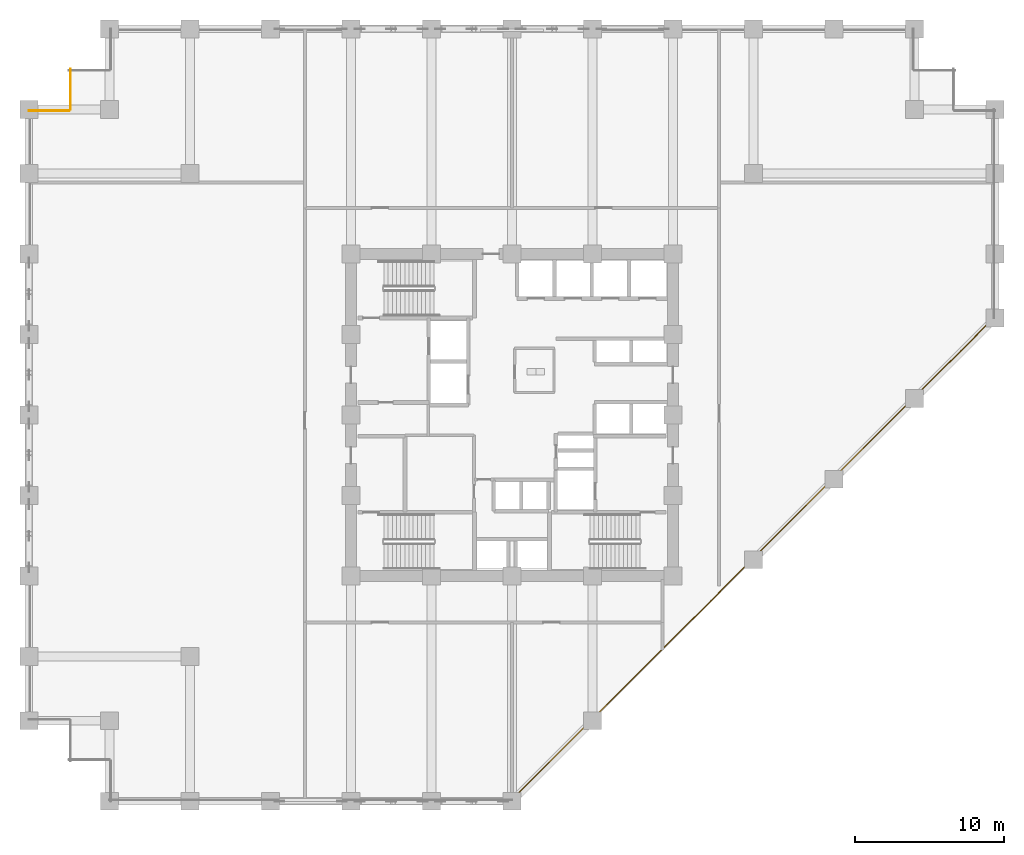
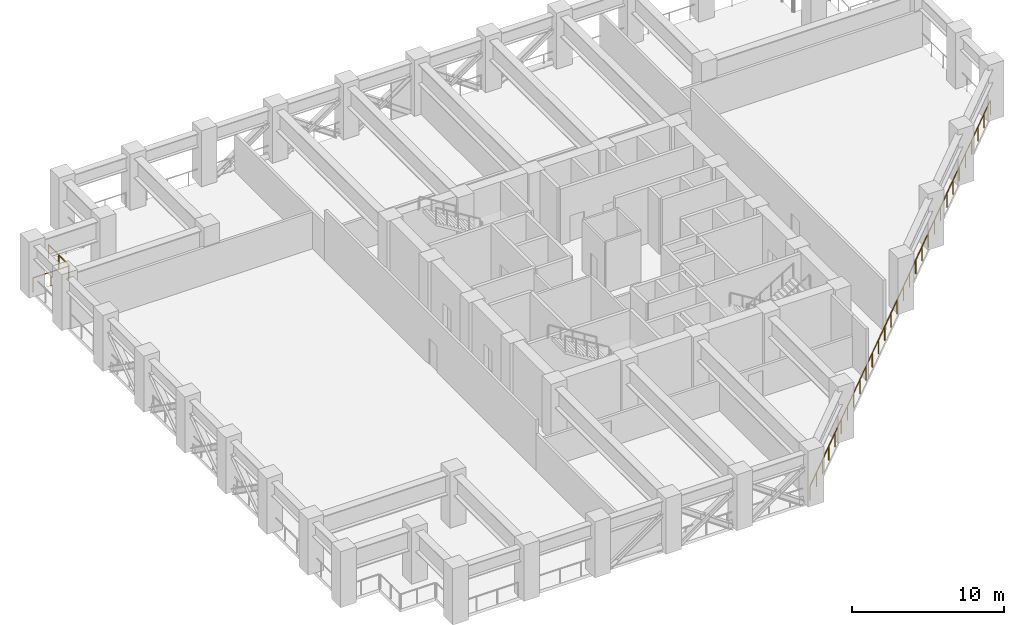
# One storey, part 9 of 12: 3 railings.
"""IFC4 building model written with IfcOpenShell, lengths in metres."""

from ifc_helpers import new_model, si_unit, direction, frame, origin, origin_2d, place, context, subcontext, project, spatial, circle, extrude, material, type_object, element, save


model = new_model("IFC4")

# Units and contexts
model_context = context("Model", 3, precision=1e-05, world=origin(), true_north=direction((0.0, 1.0)))
body_context = subcontext(model_context, "Body", "Model", "MODEL_VIEW")
ifc_project = project(units=[si_unit("LENGTHUNIT", "METRE"), si_unit("AREAUNIT", "SQUARE_METRE"), si_unit("VOLUMEUNIT", "CUBIC_METRE"), si_unit("PLANEANGLEUNIT", "RADIAN"), si_unit("MASSUNIT", "GRAM", prefix="KILO")], contexts=[model_context])

# Site, building, storey
site_placement = place(None, origin())
site = spatial("IfcSite", under=ifc_project, at=site_placement, CompositionType="ELEMENT")
building_placement = place(site_placement, origin())
building = spatial("IfcBuilding", under=site, at=building_placement, Name="Surkhivell Harbour Commons", CompositionType="ELEMENT")
storey_placement = place(building_placement, frame((0.0, 0.0, 78.75)))
storey = spatial("IfcBuildingStorey", under=building, at=storey_placement, Name="L20", CompositionType="ELEMENT", Elevation=78.75)

# Railings
ifc_material = material(Name="Laminated safety glass and stainless steel S355 balustrade", Category="steel")
railing_type = type_object("IfcRailingType", Name="RAL-BAL-1150", PredefinedType="BALUSTRADE", material=ifc_material)
railing_1_placement = place(storey_placement, frame((-0.056640625, -25.843505859375, 0.0)))
element("IfcRailing", 1, at=railing_1_placement, inside=storey, type_object=railing_type, Name="L20 Perimeter Safety Guard 02", PredefinedType="BALUSTRADE", context=body_context, shape_type="SweptSolid", body=[
    extrude(circle(Radius=0.02392578125, at=origin_2d()), frame((0.0, 0.0, 1.1259765625), z_axis=(0.707106781187, 0.707106781187, 0.0), x_axis=(-0.707106781187, 0.707106781187, 0.0)), (0.0, 0.0, 1.0), 45.82080078125),
    extrude(circle(Radius=0.02099609375, at=origin_2d()), origin(), (0.0, 0.0, 1.0), 1.101806640625),
    extrude(circle(Radius=0.02099609375, at=origin_2d()), frame((1.1171875, 1.1171875, 0.0)), (0.0, 0.0, 1.0), 1.101806640625),
    extrude(circle(Radius=0.02099609375, at=origin_2d()), frame((2.234375, 2.234375, 0.0)), (0.0, 0.0, 1.0), 1.101806640625),
    extrude(circle(Radius=0.02099609375, at=origin_2d()), frame((3.351806640625, 3.351806640625, 0.0)), (0.0, 0.0, 1.0), 1.101806640625),
    extrude(circle(Radius=0.02099609375, at=origin_2d()), frame((4.468994140625, 4.468994140625, 0.0)), (0.0, 0.0, 1.0), 1.101806640625),
    extrude(circle(Radius=0.02099609375, at=origin_2d()), frame((5.586181640625, 5.586181640625, 0.0)), (0.0, 0.0, 1.0), 1.101806640625),
    extrude(circle(Radius=0.02099609375, at=origin_2d()), frame((6.703369140625, 6.703369140625, 0.0)), (0.0, 0.0, 1.0), 1.101806640625),
    extrude(circle(Radius=0.02099609375, at=origin_2d()), frame((7.82080078125, 7.82080078125, 0.0)), (0.0, 0.0, 1.0), 1.101806640625),
    extrude(circle(Radius=0.02099609375, at=origin_2d()), frame((8.93798828125, 8.93798828125, 0.0)), (0.0, 0.0, 1.0), 1.101806640625),
    extrude(circle(Radius=0.02099609375, at=origin_2d()), frame((10.05517578125, 10.05517578125, 0.0)), (0.0, 0.0, 1.0), 1.101806640625),
    extrude(circle(Radius=0.02099609375, at=origin_2d()), frame((11.17236328125, 11.17236328125, 0.0)), (0.0, 0.0, 1.0), 1.101806640625),
    extrude(circle(Radius=0.02099609375, at=origin_2d()), frame((12.289794921875, 12.289794921875, 0.0)), (0.0, 0.0, 1.0), 1.101806640625),
    extrude(circle(Radius=0.02099609375, at=origin_2d()), frame((13.406982421875, 13.406982421875, 0.0)), (0.0, 0.0, 1.0), 1.101806640625),
    extrude(circle(Radius=0.02099609375, at=origin_2d()), frame((14.524169921875, 14.524169921875, 0.0)), (0.0, 0.0, 1.0), 1.101806640625),
    extrude(circle(Radius=0.02099609375, at=origin_2d()), frame((15.641357421875, 15.641357421875, 0.0)), (0.0, 0.0, 1.0), 1.101806640625),
    extrude(circle(Radius=0.02099609375, at=origin_2d()), frame((16.7587890625, 16.7587890625, 0.0)), (0.0, 0.0, 1.0), 1.101806640625),
    extrude(circle(Radius=0.02099609375, at=origin_2d()), frame((17.8759765625, 17.8759765625, 0.0)), (0.0, 0.0, 1.0), 1.101806640625),
    extrude(circle(Radius=0.02099609375, at=origin_2d()), frame((18.9931640625, 18.9931640625, 0.0)), (0.0, 0.0, 1.0), 1.101806640625),
    extrude(circle(Radius=0.02099609375, at=origin_2d()), frame((20.1103515625, 20.1103515625, 0.0)), (0.0, 0.0, 1.0), 1.101806640625),
    extrude(circle(Radius=0.02099609375, at=origin_2d()), frame((21.227783203125, 21.227783203125, 0.0)), (0.0, 0.0, 1.0), 1.101806640625),
    extrude(circle(Radius=0.02099609375, at=origin_2d()), frame((22.344970703125, 22.344970703125, 0.0)), (0.0, 0.0, 1.0), 1.101806640625),
    extrude(circle(Radius=0.02099609375, at=origin_2d()), frame((23.462158203125, 23.462158203125, 0.0)), (0.0, 0.0, 1.0), 1.101806640625),
    extrude(circle(Radius=0.02099609375, at=origin_2d()), frame((24.579345703125, 24.579345703125, 0.0)), (0.0, 0.0, 1.0), 1.101806640625),
    extrude(circle(Radius=0.02099609375, at=origin_2d()), frame((25.69677734375, 25.69677734375, 0.0)), (0.0, 0.0, 1.0), 1.101806640625),
    extrude(circle(Radius=0.02099609375, at=origin_2d()), frame((26.81396484375, 26.81396484375, 0.0)), (0.0, 0.0, 1.0), 1.101806640625),
    extrude(circle(Radius=0.02099609375, at=origin_2d()), frame((27.93115234375, 27.93115234375, 0.0)), (0.0, 0.0, 1.0), 1.101806640625),
    extrude(circle(Radius=0.02099609375, at=origin_2d()), frame((29.04833984375, 29.04833984375, 0.0)), (0.0, 0.0, 1.0), 1.101806640625),
    extrude(circle(Radius=0.02099609375, at=origin_2d()), frame((30.165771484375, 30.165771484375, 0.0)), (0.0, 0.0, 1.0), 1.101806640625),
    extrude(circle(Radius=0.02099609375, at=origin_2d()), frame((31.282958984375, 31.282958984375, 0.0)), (0.0, 0.0, 1.0), 1.101806640625),
    extrude(circle(Radius=0.02099609375, at=origin_2d()), frame((32.400146484375, 32.400146484375, 0.0)), (0.0, 0.0, 1.0), 1.101806640625),
])
railing_2_placement = place(storey_placement, frame((-29.6201171875, 23.199951171875, 0.0)))
element("IfcRailing", 2, at=railing_2_placement, inside=storey, type_object=railing_type, Name="L20 Perimeter Safety Guard 11", PredefinedType="BALUSTRADE", context=body_context, shape_type="SweptSolid", body=[
    extrude(circle(Radius=0.02392578125, at=origin_2d()), frame((0.0, 0.0, 1.1259765625), z_axis=(0.0, -1.0, 0.0), x_axis=(1.0, 0.0, 0.0)), (0.0, 0.0, 1.0), 2.699951171875),
    extrude(circle(Radius=0.02099609375, at=origin_2d()), origin(), (0.0, 0.0, 1.0), 1.101806640625),
    extrude(circle(Radius=0.02099609375, at=origin_2d()), frame((0.0, -1.35009765625, 0.0)), (0.0, 0.0, 1.0), 1.101806640625),
    extrude(circle(Radius=0.02099609375, at=origin_2d()), frame((0.0, -2.699951171875, 0.0)), (0.0, 0.0, 1.0), 1.101806640625),
])
railing_3_placement = place(storey_placement, frame((-29.699951171875, 20.419921875, 0.0)))
element("IfcRailing", 3, at=railing_3_placement, inside=storey, type_object=railing_type, Name="L20 Perimeter Safety Guard 12", PredefinedType="BALUSTRADE", context=body_context, shape_type="SweptSolid", body=[
    extrude(circle(Radius=0.02392578125, at=origin_2d()), frame((0.0, 0.0, 1.1259765625), z_axis=(-1.0, 0.0, 0.0), x_axis=(0.0, -1.0, 0.0)), (0.0, 0.0, 1.0), 2.699951171875),
    extrude(circle(Radius=0.02099609375, at=origin_2d()), origin(), (0.0, 0.0, 1.0), 1.101806640625),
    extrude(circle(Radius=0.02099609375, at=origin_2d()), frame((-1.35009765625, 0.0, 0.0)), (0.0, 0.0, 1.0), 1.101806640625),
    extrude(circle(Radius=0.02099609375, at=origin_2d()), frame((-2.699951171875, 0.0, 0.0)), (0.0, 0.0, 1.0), 1.101806640625),
])

save(model, "model.ifc")
